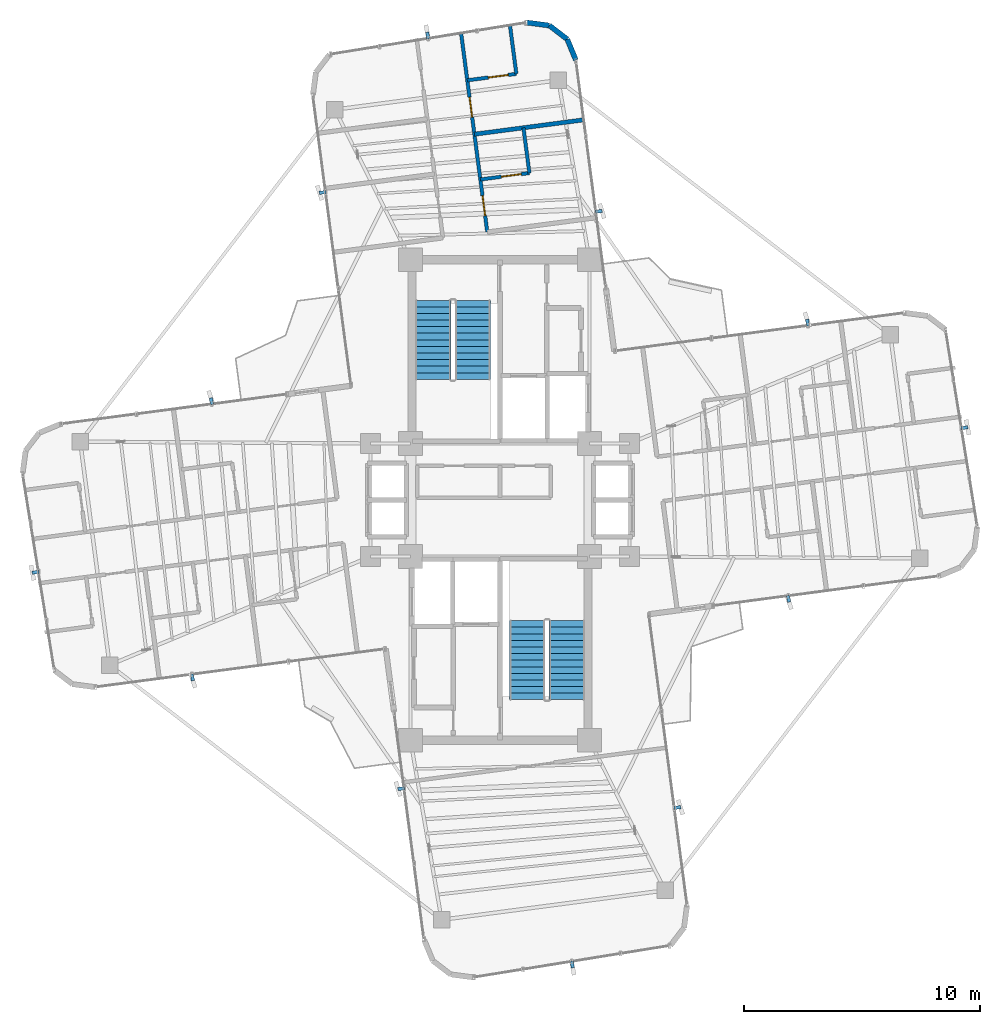
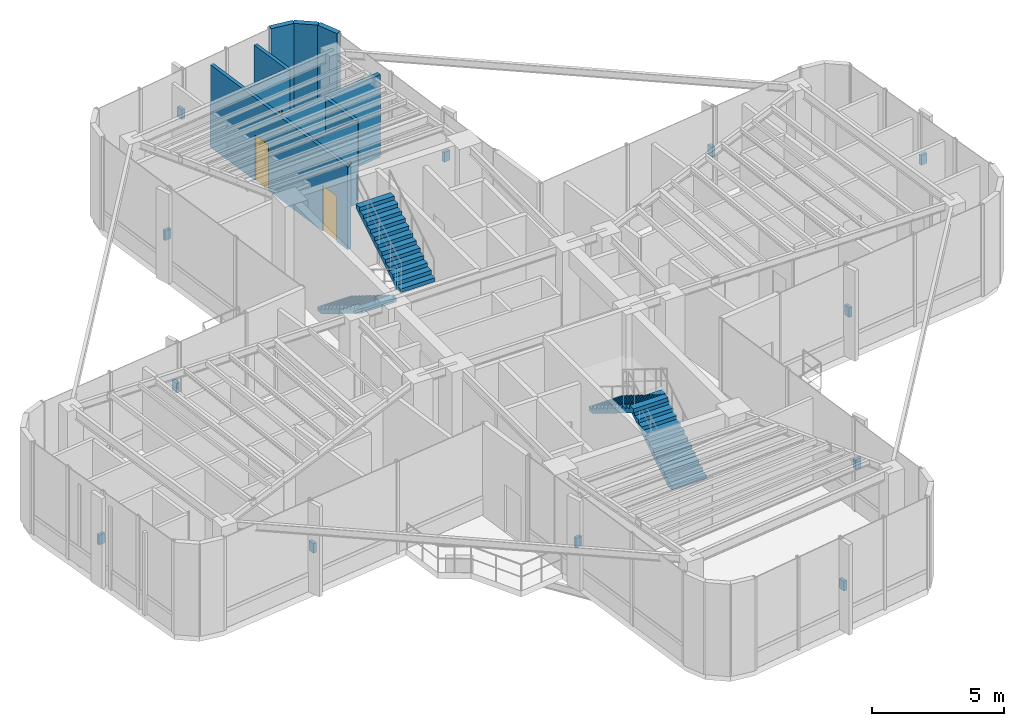
# One storey, part 19 of 20: 12 discrete accessories, 9 walls, 4 doors, 4 stair flights, 4 openings, 2 elements without a shape of their own.
"""IFC4 building model written with IfcOpenShell, lengths in metres."""

from ifc_helpers import new_model, si_unit, direction, frame, frame_2d, origin, origin_2d, place, context, subcontext, project, spatial, polyline, rectangle, outline, extrude, source, transform, mapped, material, layer, layer_set, type_object, element, fill, aggregate, save


model = new_model("IFC4")

# Units and contexts
model_context = context("Model", 3, precision=1e-05, world=origin(), true_north=direction((0.0, 1.0)))
body_context = subcontext(model_context, "Body", "Model", "MODEL_VIEW")
ifc_project = project(units=[si_unit("LENGTHUNIT", "METRE"), si_unit("AREAUNIT", "SQUARE_METRE"), si_unit("VOLUMEUNIT", "CUBIC_METRE"), si_unit("PLANEANGLEUNIT", "RADIAN"), si_unit("MASSUNIT", "GRAM", prefix="KILO")], contexts=[model_context])

# Site, building, storey
site_placement = place(None, origin())
site = spatial("IfcSite", under=ifc_project, at=site_placement, CompositionType="ELEMENT")
building_placement = place(site_placement, origin())
building = spatial("IfcBuilding", under=site, at=building_placement, Name="Sahyath Konkavel Grand Hotel", CompositionType="ELEMENT")
storey_placement = place(building_placement, frame((0.0, 0.0, 229.949951171875)))
storey = spatial("IfcBuildingStorey", under=building, at=storey_placement, Name="L64", CompositionType="ELEMENT", Elevation=229.949951171875)

# Walls
ifc_material_1 = material(Name="Warm Buff Sandstone Insulated Concrete C40/50", Category="masonry")
ifc_layer_1 = layer(ifc_material_1, 0.219970703125)
ifc_layer_set_1 = layer_set([ifc_layer_1], Name="Warm Buff Sandstone Insulated Concrete C40/50")
wall_type_1 = type_object("IfcWallType", Name="WLL-BALC-THRESH", PredefinedType="STANDARD", material=ifc_layer_set_1)
wall_1_placement = place(storey_placement, frame((3.22265625, 18.677490234375, 0.0), z_axis=(0.0, 0.0, 1.0), x_axis=(-0.382659506909, 0.923889442397, 0.0)))
element("IfcWall", 1, at=wall_1_placement, inside=storey, type_object=wall_type_1, Name="L64 Rounded Corner Sandstone Pier 9", PredefinedType="STANDARD", context=body_context, shape_type="SweptSolid", body=[
    extrude(rectangle(XDim=0.957763671875, YDim=0.219970703125, at=frame_2d((0.47900390625, 0.0))), origin(), (0.0, 0.0, 1.0), 4.260009765625),
])
wall_2_placement = place(storey_placement, frame((2.856201171875, 19.562255859375, 0.0), z_axis=(0.0, 0.0, 1.0), x_axis=(-0.793466811674, 0.60861352168, 0.0)))
element("IfcWall", 2, at=wall_2_placement, inside=storey, type_object=wall_type_1, Name="L64 Rounded Corner Sandstone Pier 10", PredefinedType="STANDARD", context=body_context, shape_type="SweptSolid", body=[
    extrude(rectangle(XDim=0.95751953125, YDim=0.219970703125, at=frame_2d((0.478759765625, 0.0))), origin(), (0.0, 0.0, 1.0), 4.260009765625),
])
wall_3_placement = place(storey_placement, frame((2.096435546875, 20.14501953125, 0.0), z_axis=(0.0, 0.0, 1.0), x_axis=(-0.991444747987, 0.130527053476, 0.0)))
element("IfcWall", 3, at=wall_3_placement, inside=storey, type_object=wall_type_1, Name="L64 Rounded Corner Sandstone Pier 11", PredefinedType="STANDARD", context=body_context, shape_type="SweptSolid", body=[
    extrude(rectangle(XDim=0.957763671875, YDim=0.219970703125, at=frame_2d((0.47900390625, 0.0))), origin(), (0.0, 0.0, 1.0), 4.260009765625),
])
ifc_material_2 = material(Name="Twin-Stud Acoustic Gypsum Plasterboard Partition")
ifc_layer_2 = layer(ifc_material_2, 0.179931640625)
ifc_layer_set_2 = layer_set([ifc_layer_2], Name="Twin-Stud Acoustic Gypsum Plasterboard Partition")
wall_type_2 = type_object("IfcWallType", Name="WLL-DEMISE-180", PredefinedType="PARTITIONING", material=ifc_layer_set_2)
wall_4_placement = place(storey_placement, frame((-1.086181640625, 15.529052734375, 0.0), z_axis=(0.0, 0.0, 1.0), x_axis=(0.991444248218, 0.130530849518, 0.0)))
element("IfcWall", 4, at=wall_4_placement, inside=storey, type_object=wall_type_2, Name="L64 Partition N-N1R-DEM", PredefinedType="PARTITIONING", context=body_context, shape_type="SweptSolid", body=[
    extrude(rectangle(XDim=4.6328125, YDim=0.179931640625, at=frame_2d((2.31640625, 0.0))), origin(), (0.0, 0.0, 1.0), 3.81005859375),
])

# Wall, openings, doors
ifc_material_3 = material(Name="Fire-Rated Gypsum Plasterboard Partition")
ifc_layer_3 = layer(ifc_material_3, 0.14990234375)
ifc_layer_set_3 = layer_set([ifc_layer_3], Name="Fire-Rated Gypsum Plasterboard Partition")
wall_type_3 = type_object("IfcWallType", Name="WLL-PART-150", PredefinedType="PARTITIONING", material=ifc_layer_set_3)
wall_5_placement = place(storey_placement, frame((-0.53955078125, 11.376953125, 0.0), z_axis=(0.0, 0.0, 1.0), x_axis=(-0.130539485951, 0.99144311113, 0.0)))
wall_5 = element("IfcWall", 5, at=wall_5_placement, inside=storey, type_object=wall_type_3, Name="L64 Partition N-CR", PredefinedType="PARTITIONING", context=body_context, shape_type="SweptSolid", body=[
    extrude(rectangle(XDim=8.547119140625, YDim=0.14990234375, at=frame_2d((4.2734375, 0.0))), origin(), (0.0, 0.0, 1.0), 3.81005859375),
])
opening_1_placement = place(wall_5_placement, frame((0.699951171875, 0.0, 0.0)))
opening_1 = element("IfcOpeningElement", 6, at=opening_1_placement, cuts=wall_5, Name="Opening D-F06D", PredefinedType="OPENING", context=body_context, shape_type="SweptSolid", body=[
    extrude(rectangle(XDim=0.85009765625, YDim=2.10009765625, at=frame_2d((0.425048828125, 1.050048828125))), frame((0.0, 0.0849609375, 0.0), z_axis=(0.0, -1.0, 0.0), x_axis=(1.0, 0.0, 0.0)), (0.0, 0.0, 1.0), 0.169921875),
])
opening_2_placement = place(wall_5_placement, frame((4.91796875, 0.0, 0.0)))
opening_2 = element("IfcOpeningElement", 7, at=opening_2_placement, cuts=wall_5, Name="Opening D-F06D", PredefinedType="OPENING", context=body_context, shape_type="SweptSolid", body=[
    extrude(rectangle(XDim=0.85009765625, YDim=2.10009765625, at=frame_2d((0.425048828125, 1.050048828125))), frame((0.0, 0.0849609375, 0.0), z_axis=(0.0, -1.0, 0.0), x_axis=(1.0, 0.0, 0.0)), (0.0, 0.0, 1.0), 0.169921875),
])
ifc_material_4 = material(Name="Fire-Rated Shaft Access Door")
door_type_1 = type_object("IfcDoorType", Name="DR-FD60-850", OperationType="NOTDEFINED", PredefinedType="DOOR", material=ifc_material_4)
shared_shape_1 = source(origin(), body_context, "Body", "SweptSolid", [
    extrude(rectangle(XDim=0.85009765625, YDim=0.050048828125, at=origin_2d()), origin(), (0.0, 0.0, 1.0), 2.10009765625),
])
door_1_placement = place(opening_1_placement, frame((0.425048828125, 0.0, 0.0)))
door_1 = element("IfcDoor", 8, at=door_1_placement, inside=storey, type_object=door_type_1, Name="L64 Door N-N1R-ED", OperationType="SINGLE_SWING_RIGHT", OverallHeight=2.10009765625, OverallWidth=0.85009765625, PredefinedType="DOOR", context=body_context, shape_type="MappedRepresentation", body=[
    mapped(shared_shape_1, transform((0.0, 0.0, 0.0), scale=1.0)),
])
fill(opening_1, door_1)
door_2_placement = place(opening_2_placement, frame((0.425048828125, 0.0, 0.0)))
door_2 = element("IfcDoor", 9, at=door_2_placement, inside=storey, type_object=door_type_1, Name="L64 Door N-N2R-ED", OperationType="SINGLE_SWING_RIGHT", OverallHeight=2.10009765625, OverallWidth=0.85009765625, PredefinedType="DOOR", context=body_context, shape_type="MappedRepresentation", body=[
    mapped(shared_shape_1, transform((0.0, 0.0, 0.0), scale=1.0)),
])
fill(opening_2, door_2)

# Wall, opening, door
wall_6_placement = place(storey_placement, frame((-0.833251953125, 13.607666015625, 0.0), z_axis=(0.0, 0.0, 1.0), x_axis=(0.991440836415, 0.130556761174, 0.0)))
wall_6 = element("IfcWall", 10, at=wall_6_placement, inside=storey, type_object=wall_type_3, Name="L64 Partition N-N1R-BS", PredefinedType="PARTITIONING", context=body_context, shape_type="SweptSolid", body=[
    extrude(rectangle(XDim=2.10009765625, YDim=0.14990234375, at=frame_2d((1.050048828125, 0.0))), origin(), (0.0, 0.0, 1.0), 3.81005859375),
])
opening_3_placement = place(wall_6_placement, frame((0.89990234375, 0.0, 0.0)))
opening_3 = element("IfcOpeningElement", 11, at=opening_3_placement, cuts=wall_6, Name="Opening D-BT85", PredefinedType="OPENING", context=body_context, shape_type="SweptSolid", body=[
    extrude(rectangle(XDim=0.85009765625, YDim=2.10009765625, at=frame_2d((0.425048828125, 1.050048828125))), frame((0.0, 0.0849609375, 0.0), z_axis=(0.0, -1.0, 0.0), x_axis=(1.0, 0.0, 0.0)), (0.0, 0.0, 1.0), 0.169921875),
])
ifc_material_5 = material(Name="Moisture-Resistant Teak Bathroom Door")
door_type_2 = type_object("IfcDoorType", Name="DR-BATH-850", OperationType="NOTDEFINED", PredefinedType="DOOR", material=ifc_material_5)
door_3_placement = place(opening_3_placement, frame((0.425048828125, 0.0, 0.0)))
door_3 = element("IfcDoor", 12, at=door_3_placement, inside=storey, type_object=door_type_2, Name="L64 Door N-N1R-BD", OperationType="SINGLE_SWING_LEFT", OverallHeight=2.10009765625, OverallWidth=0.85009765625, PredefinedType="DOOR", context=body_context, shape_type="MappedRepresentation", body=[
    mapped(shared_shape_1, transform((0.0, 0.0, 0.0), scale=1.0)),
])
fill(opening_3, door_3)

# Wall
wall_7_placement = place(storey_placement, frame((1.248779296875, 13.8818359375, 0.0), z_axis=(0.0, 0.0, 1.0), x_axis=(-0.130513170565, 0.99144657562, 0.0)))
element("IfcWall", 13, at=wall_7_placement, inside=storey, type_object=wall_type_3, Name="L64 Partition N-N1R-BF", PredefinedType="PARTITIONING", context=body_context, shape_type="SweptSolid", body=[
    extrude(rectangle(XDim=1.93798828125, YDim=0.14990234375, at=frame_2d((0.968994140625, 0.0))), origin(), (0.0, 0.0, 1.0), 3.81005859375),
])

# Wall, opening, door
wall_8_placement = place(storey_placement, frame((-1.3876953125, 17.818359375, 0.0), z_axis=(0.0, 0.0, 1.0), x_axis=(0.9914558783, 0.13044248305, 0.0)))
wall_8 = element("IfcWall", 14, at=wall_8_placement, inside=storey, type_object=wall_type_3, Name="L64 Partition N-N2R-BS", PredefinedType="PARTITIONING", context=body_context, shape_type="SweptSolid", body=[
    extrude(rectangle(XDim=2.099853515625, YDim=0.14990234375, at=frame_2d((1.0498046875, 0.0))), origin(), (0.0, 0.0, 1.0), 3.81005859375),
])
opening_4_placement = place(wall_8_placement, frame((0.89990234375, 0.0, 0.0)))
opening_4 = element("IfcOpeningElement", 15, at=opening_4_placement, cuts=wall_8, Name="Opening D-BT85", PredefinedType="OPENING", context=body_context, shape_type="SweptSolid", body=[
    extrude(rectangle(XDim=0.85009765625, YDim=2.10009765625, at=frame_2d((0.425048828125, 1.050048828125))), frame((0.0, 0.0849609375, 0.0), z_axis=(0.0, -1.0, 0.0), x_axis=(1.0, 0.0, 0.0)), (0.0, 0.0, 1.0), 0.169921875),
])
door_4_placement = place(opening_4_placement, frame((0.425048828125, 0.0, 0.0)))
door_4 = element("IfcDoor", 16, at=door_4_placement, inside=storey, type_object=door_type_2, Name="L64 Door N-N2R-BD", OperationType="SINGLE_SWING_LEFT", OverallHeight=2.10009765625, OverallWidth=0.85009765625, PredefinedType="DOOR", context=body_context, shape_type="MappedRepresentation", body=[
    mapped(shared_shape_1, transform((0.0, 0.0, 0.0), scale=1.0)),
])
fill(opening_4, door_4)

# Wall
wall_9_placement = place(storey_placement, frame((0.6943359375, 18.09228515625, 0.0), z_axis=(0.0, 0.0, 1.0), x_axis=(-0.130509958008, 0.991446998513, 0.0)))
element("IfcWall", 17, at=wall_9_placement, inside=storey, type_object=wall_type_3, Name="L64 Partition N-N2R-BF", PredefinedType="PARTITIONING", context=body_context, shape_type="SweptSolid", body=[
    extrude(rectangle(XDim=2.05029296875, YDim=0.14990234375, at=frame_2d((1.025146484375, 0.0))), origin(), (0.0, 0.0, 1.0), 3.81005859375),
])

# Stair, stair flights
ifc_material_6 = material(Name="Concrete C40/50", Category="concrete")
stair_type = type_object("IfcStairType", Name="STR-ST16-450", PredefinedType="HALF_TURN_STAIR", material=ifc_material_6)
stair_1_placement = place(storey_placement, origin())
stair_1 = element("IfcStair", 18, at=stair_1_placement, inside=storey, type_object=stair_type, Name="L64 North Core Smokeproof Exit Stair ST-1", PredefinedType="HALF_TURN_STAIR")
stair_flight_type = type_object("IfcStairFlightType", Name="STF-ST16-450", PredefinedType="STRAIGHT", material=ifc_material_6)
stair_flight_1_placement = place(storey_placement, frame((-2.840087890625, 8.47998046875, 0.0), z_axis=(0.0, 0.0, 1.0), x_axis=(0.0, -1.0, 0.0)))
stair_flight_1 = element("IfcStairFlight", 19, at=stair_flight_1_placement, type_object=stair_flight_type, Name="ST-1 flight 1", NumberOfRisers=13, NumberOfTreads=12, PredefinedType="STRAIGHT", RiserHeight=0.173076923, TreadLength=0.28, context=body_context, shape_type="SweptSolid", body=[
    extrude(outline(polyline([(0.0, 0.0), (0.0, 0.173095703125), (0.280029296875, 0.173095703125), (0.280029296875, 0.34619140625), (0.56005859375, 0.34619140625), (0.56005859375, 0.519287109375), (0.840087890625, 0.519287109375), (0.840087890625, 0.6923828125), (1.1201171875, 0.6923828125), (1.1201171875, 0.865478515625), (1.39990234375, 0.865478515625), (1.39990234375, 1.03857421875), (1.679931640625, 1.03857421875), (1.679931640625, 1.21142578125), (1.9599609375, 1.21142578125), (1.9599609375, 1.384521484375), (2.239990234375, 1.384521484375), (2.239990234375, 1.5576171875), (2.52001953125, 1.5576171875), (2.52001953125, 1.730712890625), (2.800048828125, 1.730712890625), (2.800048828125, 1.90380859375), (3.080078125, 1.90380859375), (3.080078125, 2.076904296875), (3.360107421875, 2.076904296875), (3.360107421875, 2.25), (3.360107421875, 1.900634765625), (0.28515625, 0.0), (0.0, 0.0)])), frame((0.0, 0.760009765625, 0.0), z_axis=(0.0, -1.0, 0.0), x_axis=(1.0, 0.0, 0.0)), (0.0, 0.0, 1.0), 1.52001953125),
])
stair_flight_2_placement = place(storey_placement, frame((-1.159912109375, 5.1201171875, 2.25), z_axis=(0.0, 0.0, 1.0), x_axis=(0.0, 1.0, 0.0)))
stair_flight_2 = element("IfcStairFlight", 20, at=stair_flight_2_placement, type_object=stair_flight_type, Name="ST-1 flight 2", NumberOfRisers=13, NumberOfTreads=12, PredefinedType="STRAIGHT", RiserHeight=0.173076923, TreadLength=0.28, context=body_context, shape_type="SweptSolid", body=[
    extrude(outline(polyline([(0.0, 0.0), (0.0, 0.173095703125), (0.280029296875, 0.173095703125), (0.280029296875, 0.34619140625), (0.56005859375, 0.34619140625), (0.56005859375, 0.519287109375), (0.840087890625, 0.519287109375), (0.840087890625, 0.6923828125), (1.1201171875, 0.6923828125), (1.1201171875, 0.865478515625), (1.39990234375, 0.865478515625), (1.39990234375, 1.03857421875), (1.679931640625, 1.03857421875), (1.679931640625, 1.21142578125), (1.9599609375, 1.21142578125), (1.9599609375, 1.384521484375), (2.239990234375, 1.384521484375), (2.239990234375, 1.5576171875), (2.52001953125, 1.5576171875), (2.52001953125, 1.730712890625), (2.800048828125, 1.730712890625), (2.800048828125, 1.90380859375), (3.080078125, 1.90380859375), (3.080078125, 2.076904296875), (3.360107421875, 2.076904296875), (3.360107421875, 2.25), (3.360107421875, 1.900634765625), (0.28515625, 0.0), (0.0, 0.0)])), frame((0.0, 0.760009765625, 0.0), z_axis=(0.0, -1.0, 0.0), x_axis=(1.0, 0.0, 0.0)), (0.0, 0.0, 1.0), 1.52001953125),
])
aggregate(stair_1, [stair_flight_1, stair_flight_2])

stair_2_placement = place(storey_placement, origin())
stair_2 = element("IfcStair", 21, at=stair_2_placement, inside=storey, type_object=stair_type, Name="L64 South Core Smokeproof Exit Stair ST-2", PredefinedType="HALF_TURN_STAIR")
stair_flight_3_placement = place(storey_placement, frame((2.840087890625, -8.47998046875, 0.0), z_axis=(0.0, 0.0, 1.0), x_axis=(0.0, 1.0, 0.0)))
stair_flight_3 = element("IfcStairFlight", 22, at=stair_flight_3_placement, type_object=stair_flight_type, Name="ST-2 flight 1", NumberOfRisers=13, NumberOfTreads=12, PredefinedType="STRAIGHT", RiserHeight=0.173076923, TreadLength=0.28, context=body_context, shape_type="SweptSolid", body=[
    extrude(outline(polyline([(0.0, 0.0), (0.0, 0.173095703125), (0.280029296875, 0.173095703125), (0.280029296875, 0.34619140625), (0.56005859375, 0.34619140625), (0.56005859375, 0.519287109375), (0.840087890625, 0.519287109375), (0.840087890625, 0.6923828125), (1.1201171875, 0.6923828125), (1.1201171875, 0.865478515625), (1.39990234375, 0.865478515625), (1.39990234375, 1.03857421875), (1.679931640625, 1.03857421875), (1.679931640625, 1.21142578125), (1.9599609375, 1.21142578125), (1.9599609375, 1.384521484375), (2.239990234375, 1.384521484375), (2.239990234375, 1.5576171875), (2.52001953125, 1.5576171875), (2.52001953125, 1.730712890625), (2.800048828125, 1.730712890625), (2.800048828125, 1.90380859375), (3.080078125, 1.90380859375), (3.080078125, 2.076904296875), (3.360107421875, 2.076904296875), (3.360107421875, 2.25), (3.360107421875, 1.900634765625), (0.28515625, 0.0), (0.0, 0.0)])), frame((0.0, 0.760009765625, 0.0), z_axis=(0.0, -1.0, 0.0), x_axis=(1.0, 0.0, 0.0)), (0.0, 0.0, 1.0), 1.52001953125),
])
stair_flight_4_placement = place(storey_placement, frame((1.159912109375, -5.1201171875, 2.25), z_axis=(0.0, 0.0, 1.0), x_axis=(0.0, -1.0, 0.0)))
stair_flight_4 = element("IfcStairFlight", 23, at=stair_flight_4_placement, type_object=stair_flight_type, Name="ST-2 flight 2", NumberOfRisers=13, NumberOfTreads=12, PredefinedType="STRAIGHT", RiserHeight=0.173076923, TreadLength=0.28, context=body_context, shape_type="SweptSolid", body=[
    extrude(outline(polyline([(0.0, 0.0), (0.0, 0.173095703125), (0.280029296875, 0.173095703125), (0.280029296875, 0.34619140625), (0.56005859375, 0.34619140625), (0.56005859375, 0.519287109375), (0.840087890625, 0.519287109375), (0.840087890625, 0.6923828125), (1.1201171875, 0.6923828125), (1.1201171875, 0.865478515625), (1.39990234375, 0.865478515625), (1.39990234375, 1.03857421875), (1.679931640625, 1.03857421875), (1.679931640625, 1.21142578125), (1.9599609375, 1.21142578125), (1.9599609375, 1.384521484375), (2.239990234375, 1.384521484375), (2.239990234375, 1.5576171875), (2.52001953125, 1.5576171875), (2.52001953125, 1.730712890625), (2.800048828125, 1.730712890625), (2.800048828125, 1.90380859375), (3.080078125, 1.90380859375), (3.080078125, 2.076904296875), (3.360107421875, 2.076904296875), (3.360107421875, 2.25), (3.360107421875, 1.900634765625), (0.28515625, 0.0), (0.0, 0.0)])), frame((0.0, 0.760009765625, 0.0), z_axis=(0.0, -1.0, 0.0), x_axis=(1.0, 0.0, 0.0)), (0.0, 0.0, 1.0), 1.52001953125),
])
aggregate(stair_2, [stair_flight_3, stair_flight_4])

# Discrete accessories
ifc_material_7 = material(Name="Steel E350", Category="steel")
discrete_accessory_type = type_object("IfcDiscreteAccessoryType", Name="ACC-FIN-BRACKET", PredefinedType="BRACKET", material=ifc_material_7)
shared_shape_2 = source(origin(), body_context, "Body", "SweptSolid", [
    extrude(rectangle(XDim=0.280029296875, YDim=0.139892578125, at=origin_2d()), origin(), (0.0, 0.0, 1.0), 0.449951171875),
])
for number, where, z_axis, x_axis, name in (
    (24, (12.25390625, -4.199462890625, 1.9052734375), (0.0, 0.0, 1.0), (0.13052619222, -0.991444861374, 0.0), "L64 Fin Support Bracket F0-1"),
    (25, (19.721435546875, 3.066650390625, 1.9052734375), (0.0, 0.0, 1.0), (0.987214279884, 0.159398762836, 0.0), "L64 Fin Support Bracket F4-2"),
    (26, (13.0576171875, 7.53173828125, 1.9052734375), (0.0, 0.0, 1.0), (-0.13052619222, 0.991444861374, 0.0), "L64 Fin Support Bracket F7-1"),
    (27, (4.199462890625, 12.25390625, 1.9052734375), (0.0, 0.0, 1.0), (0.991444861374, 0.13052619222, 0.0), "L64 Fin Support Bracket F8-1"),
    (28, (-3.066650390625, 19.721435546875, 1.9052734375), (0.0, 0.0, 1.0), (-0.159398762836, 0.987214279884, 0.0), "L64 Fin Support Bracket F12-2"),
    (29, (-7.53173828125, 13.0576171875, 1.9052734375), (0.0, 0.0, 1.0), (-0.991444861374, -0.13052619222, 0.0), "L64 Fin Support Bracket F15-1"),
    (30, (-12.25390625, 4.199462890625, 1.9052734375), (0.0, 0.0, 1.0), (-0.13052619222, 0.991444861374, 0.0), "L64 Fin Support Bracket F16-1"),
    (31, (-19.721435546875, -3.066650390625, 1.9052734375), (0.0, 0.0, 1.0), (-0.987214279884, -0.159398762836, 0.0), "L64 Fin Support Bracket F20-2"),
    (32, (-13.0576171875, -7.53173828125, 1.9052734375), (0.0, 0.0, 1.0), (0.13052619222, -0.991444861374, 0.0), "L64 Fin Support Bracket F23-1"),
    (33, (-4.199462890625, -12.25390625, 1.9052734375), (0.0, 0.0, 1.0), (-0.991444861374, -0.13052619222, 0.0), "L64 Fin Support Bracket F24-1"),
    (34, (3.066650390625, -19.721435546875, 1.9052734375), (0.0, 0.0, 1.0), (0.159398762836, -0.987214279884, 0.0), "L64 Fin Support Bracket F28-2"),
    (35, (7.53173828125, -13.0576171875, 1.9052734375), (0.0, 0.0, 1.0), (0.991444861374, 0.13052619222, 0.0), "L64 Fin Support Bracket F31-1"),
):
    element("IfcDiscreteAccessory", number, at=place(storey_placement, frame(where, z_axis=z_axis, x_axis=x_axis)), inside=storey, type_object=discrete_accessory_type, Name=name, PredefinedType="BRACKET", context=body_context, shape_type="MappedRepresentation", body=[
        mapped(shared_shape_2, transform((0.0, 0.0, 0.0), scale=1.0)),
    ])

save(model, "model.ifc")
